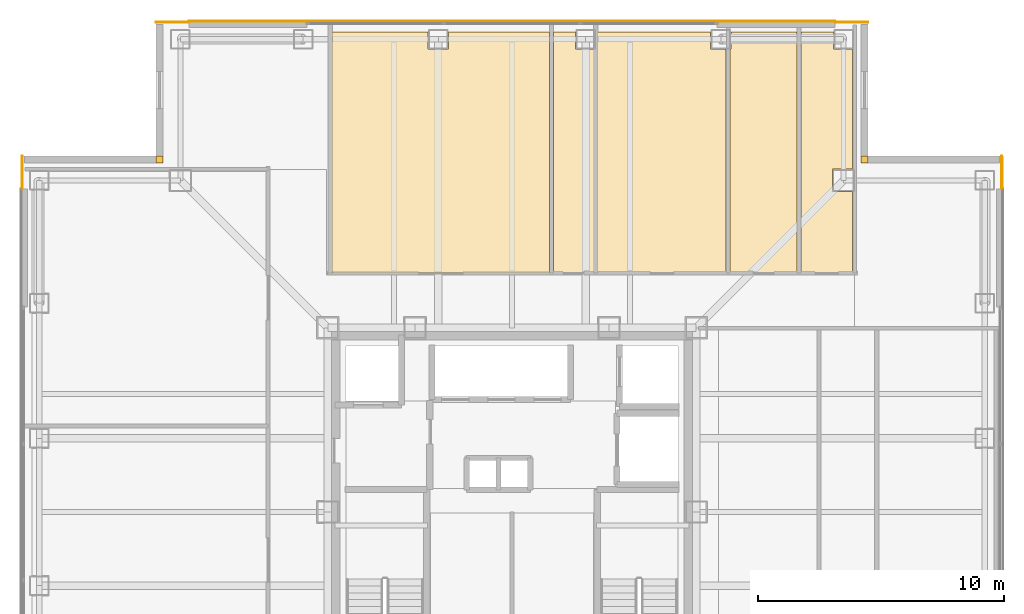
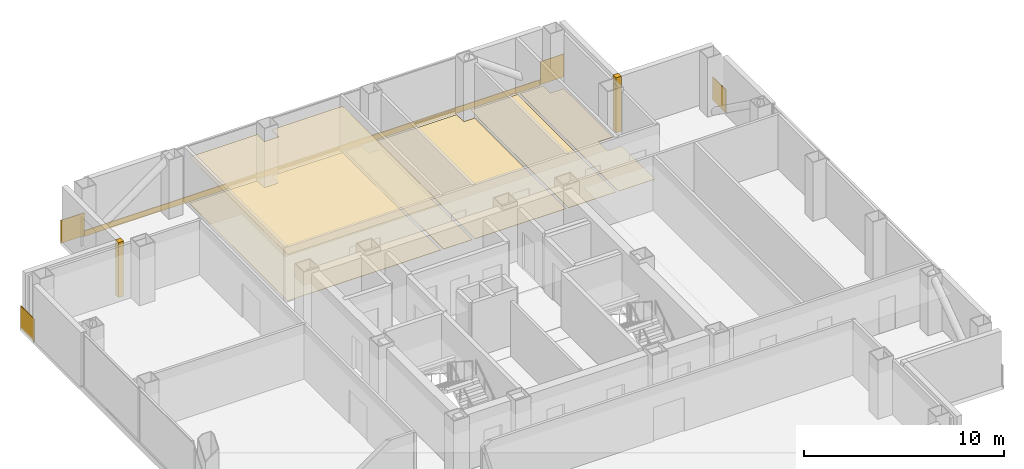
# One storey, part 16 of 16: 13 coverings.
"""IFC4 building model written with IfcOpenShell, lengths in metres."""

import ifcopenshell
import ifcopenshell.guid

model = None  # the IFC model being written
_history = None  # IfcOwnerHistory: only IFC2X3 demands one
_inside = {}  # id of a spatial element -> (the spatial element, [elements in it])
_under = {}  # id of a project, library or spatial element -> (it, [spatial elements below it])
_declared = {}  # id of a project -> (the project, [libraries it declares])
_typed = {}  # id of a type object -> (the type object, [elements of that type])
_made_of = {}  # id of a material, layer set ... -> (it, [elements and type objects made of it])


def new_model(schema):
    """Start an empty IFC model of exactly this schema.

    Asked for "IFC4X3", IfcOpenShell would pick the latest addendum, in which some entities
    have other attributes; the version numbers below select the first issue.
    IFC2X3 requires an IfcOwnerHistory on every rooted entity: one is made here for all.
    """
    global model, _history
    if schema == "IFC4X3":
        model = ifcopenshell.file(schema_version=(4, 3, 0, 0))
    else:
        model = ifcopenshell.file(schema=schema)
    _inside.clear()
    _under.clear()
    _declared.clear()
    _typed.clear()
    _made_of.clear()
    _history = None
    if model.schema == "IFC2X3":
        org = make("IfcOrganization", Name="unknown")
        user = make(
            "IfcPersonAndOrganization",
            ThePerson=make("IfcPerson", FamilyName="unknown"),
            TheOrganization=org,
        )
        app = make(
            "IfcApplication",
            ApplicationDeveloper=org,
            Version="unknown",
            ApplicationFullName="unknown",
            ApplicationIdentifier="unknown",
        )
        _history = make(
            "IfcOwnerHistory",
            OwningUser=user,
            OwningApplication=app,
            ChangeAction="ADDED",
            CreationDate=0,
        )
    return model


def make(cls, **values):
    """One entity of the class cls with the attributes given. An attribute that is None is left unset."""
    return model.create_entity(
        cls, **{name: value for name, value in values.items() if value is not None}
    )


def rooted(cls, **values):
    """An entity with a GlobalId (a new one), such as an element, a storey or a relation."""
    return make(cls, GlobalId=ifcopenshell.guid.new(), OwnerHistory=_history, **values)


def si_unit(unit_type, name, prefix=None):
    """IfcSIUnit, for example si_unit("LENGTHUNIT", "METRE", prefix="MILLI")."""
    return make("IfcSIUnit", UnitType=unit_type, Prefix=prefix, Name=name)


def assignment(units):
    """IfcUnitAssignment: the units of a project."""
    return None if units is None else make("IfcUnitAssignment", Units=units)


def point(xyz):
    """IfcCartesianPoint."""
    return None if xyz is None else make("IfcCartesianPoint", Coordinates=xyz)


def direction(xyz):
    """IfcDirection."""
    return None if xyz is None else make("IfcDirection", DirectionRatios=xyz)


def frame(location, z_axis=None, x_axis=None):
    """IfcAxis2Placement3D, a coordinate frame: its origin and axes. An axis left out is left unset."""
    return make(
        "IfcAxis2Placement3D",
        Location=point(location),
        Axis=direction(z_axis),
        RefDirection=direction(x_axis),
    )


def frame_2d(location, x_axis=None):
    """IfcAxis2Placement2D, a coordinate frame in the plane: its origin and x axis."""
    return make(
        "IfcAxis2Placement2D", Location=point(location), RefDirection=direction(x_axis)
    )


def origin():
    """The frame at (0, 0, 0) with its axes left unset."""
    return frame((0.0, 0.0, 0.0))


def place(relative_to, where):
    """IfcLocalPlacement: puts the frame where relative to a parent placement (None: the world)."""
    return make(
        "IfcLocalPlacement", PlacementRelTo=relative_to, RelativePlacement=where
    )


def context(
    kind, dimensions, precision=None, world=None, true_north=None, identifier=None
):
    """IfcGeometricRepresentationContext, for example the 3D "Model" context."""
    return make(
        "IfcGeometricRepresentationContext",
        ContextIdentifier=identifier,
        ContextType=kind,
        CoordinateSpaceDimension=dimensions,
        Precision=precision,
        WorldCoordinateSystem=world,
        TrueNorth=true_north,
    )


def subcontext(parent, identifier, kind, view, scale=None):
    """IfcGeometricRepresentationSubContext, for example "Body" below "Model"."""
    return make(
        "IfcGeometricRepresentationSubContext",
        ContextIdentifier=identifier,
        ContextType=kind,
        ParentContext=parent,
        TargetScale=scale,
        TargetView=view,
    )


def project(units=None, contexts=None):
    """IfcProject with its units and contexts."""
    return rooted(
        "IfcProject",
        Name="project",
        RepresentationContexts=contexts,
        UnitsInContext=assignment(units),
    )


def spatial(cls, under=None, at=None, **own):
    """A site, building, storey or space (cls), placed at a placement, below another one or the project."""
    s = rooted(cls, ObjectPlacement=at, **own)
    if under is not None:
        _under.setdefault(under.id(), (under, []))[1].append(s)
    return s


def polyline(points):
    """IfcPolyline through the points."""
    return make("IfcPolyline", Points=[point(p) for p in points])


def profile(cls, at=None, kind="AREA", **sizes):
    """A parametric profile (cls). Its sizes go by their IFC names, for example OverallWidth=200.0."""
    return make(cls, ProfileType=kind, Position=at, **sizes)


def rectangle(**sizes):
    """IfcRectangleProfileDef."""
    return profile("IfcRectangleProfileDef", **sizes)


def outline(outer, holes=None, kind="AREA"):
    """IfcArbitraryClosedProfileDef: a profile drawn as a closed curve; with holes, ...WithVoids."""
    if holes is None:
        return make("IfcArbitraryClosedProfileDef", ProfileType=kind, OuterCurve=outer)
    return make(
        "IfcArbitraryProfileDefWithVoids",
        ProfileType=kind,
        OuterCurve=outer,
        InnerCurves=holes,
    )


def extrude(swept, where, along, depth):
    """IfcExtrudedAreaSolid: the profile swept, set in the frame where, extruded along a direction by depth."""
    return make(
        "IfcExtrudedAreaSolid",
        SweptArea=swept,
        Position=where,
        ExtrudedDirection=direction(along),
        Depth=depth,
    )


def shape(context_of_items, identifier, shape_type, items):
    """IfcShapeRepresentation: the items that make up one representation, for example the "Body"."""
    return make(
        "IfcShapeRepresentation",
        ContextOfItems=context_of_items,
        RepresentationIdentifier=identifier,
        RepresentationType=shape_type,
        Items=items,
    )


def material(Name=None, Category=None):
    """IfcMaterial."""
    return make("IfcMaterial", Name=Name, Category=Category)


def layer(
    of_material, thickness, ventilated=None, Name=None, Category=None, Priority=None
):
    """IfcMaterialLayer: one layer of a wall or slab, of a material (None: an air gap)."""
    return make(
        "IfcMaterialLayer",
        Material=of_material,
        LayerThickness=thickness,
        IsVentilated=ventilated,
        Name=Name,
        Category=Category,
        Priority=Priority,
    )


def layer_set(layers, Name=None):
    """IfcMaterialLayerSet."""
    return make("IfcMaterialLayerSet", MaterialLayers=layers, LayerSetName=Name)


def made_of(thing, what):
    """Note that an element or type object is made of a material, layer set ...; save() writes the relation."""
    if what is not None:
        _made_of.setdefault(what.id(), (what, []))[1].append(thing)
    return thing


def type_object(cls, material=None, **own):
    """A type object (cls), such as IfcWallType, which elements share."""
    return made_of(rooted(cls, **own), material)


def element(
    cls,
    number,
    at=None,
    inside=None,
    cuts=None,
    type_object=None,
    material=None,
    context=None,
    identifier="Body",
    shape_type=None,
    held_by="IfcProductDefinitionShape",
    body=None,
    shapes=None,
    **own,
):
    """One element of the class cls, such as IfcWall. Its Tag is "e" and its number.

    at: its placement. inside: the storey or other place that contains it. cuts: it is an
    opening in that element (IfcRelVoidsElement). A single representation is given by context,
    identifier, shape_type and body (its items); several are given by shapes. held_by: the class
    of the entity that holds the representations. save() writes the other relations.
    """
    e = rooted(cls, Tag="e%d" % number, ObjectPlacement=at, **own)
    if body is not None:
        shapes = [shape(context, identifier, shape_type, body)]
    if shapes is not None:
        e.Representation = make(held_by, Representations=shapes)
    if inside is not None:
        _inside.setdefault(inside.id(), (inside, []))[1].append(e)
    if cuts is not None:
        rooted(
            "IfcRelVoidsElement", RelatingBuildingElement=cuts, RelatedOpeningElement=e
        )
    if type_object is not None:
        _typed.setdefault(type_object.id(), (type_object, []))[1].append(e)
    return made_of(e, material)


def aggregate(whole, parts):
    """IfcRelAggregates: a whole, such as a stair, and the parts it consists of."""
    return rooted("IfcRelAggregates", RelatingObject=whole, RelatedObjects=parts)


def save(model, path):
    """Write the relations noted so far, then the file.

    IfcRelAggregates (storeys below a building ...), IfcRelContainedInSpatialStructure (elements
    in a storey), IfcRelDefinesByType, IfcRelAssociatesMaterial and IfcRelDeclares: one each for
    every whole, place, type object, material and project.
    """
    for whole, parts in _under.values():
        aggregate(whole, parts)
    for where, things in _inside.values():
        rooted(
            "IfcRelContainedInSpatialStructure",
            RelatedElements=things,
            RelatingStructure=where,
        )
    for kind, things in _typed.values():
        rooted("IfcRelDefinesByType", RelatedObjects=things, RelatingType=kind)
    for what, things in _made_of.values():
        rooted("IfcRelAssociatesMaterial", RelatedObjects=things, RelatingMaterial=what)
    for by, libraries in _declared.values():
        rooted("IfcRelDeclares", RelatingContext=by, RelatedDefinitions=libraries)
    model.write(path)


model = new_model("IFC4")

# Units and contexts
model_context = context("Model", 3, precision=1e-05, world=origin(), true_north=direction((0.0, 1.0)))
body_context = subcontext(model_context, "Body", "Model", "MODEL_VIEW")
ifc_project = project(units=[si_unit("LENGTHUNIT", "METRE"), si_unit("AREAUNIT", "SQUARE_METRE"), si_unit("VOLUMEUNIT", "CUBIC_METRE"), si_unit("PLANEANGLEUNIT", "RADIAN"), si_unit("MASSUNIT", "GRAM", prefix="KILO")], contexts=[model_context])

# Site, building, storey
site_placement = place(None, origin())
site = spatial("IfcSite", under=ifc_project, at=site_placement, CompositionType="ELEMENT")
building_placement = place(site_placement, origin())
building = spatial("IfcBuilding", under=site, at=building_placement, Name="Trevonay Congress Spire", CompositionType="ELEMENT")
storey_placement = place(building_placement, frame((0.0, 0.0, 180.60009765625)))
storey = spatial("IfcBuildingStorey", under=building, at=storey_placement, Name="L46", CompositionType="ELEMENT", Elevation=180.60009765625)

# Coverings
ifc_material_1 = material(Name="Acoustic Mineral Fibre Board", Category="gypsum")
ifc_layer_1 = layer(ifc_material_1, 0.02490234375, Name="Acoustic Mineral Fibre Board")
ifc_layer_set_1 = layer_set([ifc_layer_1], Name="Acoustic Mineral Fibre Board")
covering_type_1 = type_object("IfcCoveringType", Name="COV-CEIL-ACOUSTIC", PredefinedType="CEILING", material=ifc_layer_set_1)
covering_1_placement = place(storey_placement, frame((0.0, 0.0, 2.809814453125)))
element("IfcCovering", 1, at=covering_1_placement, inside=storey, type_object=covering_type_1, Name="L46 Witness Waiting Lounge acoustic suspended ceiling", PredefinedType="CEILING", context=body_context, shape_type="SweptSolid", body=[
    extrude(outline(polyline([(1.52001953125, 19.550048828125), (1.52001953125, 9.72998046875), (-7.320068359375, 9.72998046875), (-7.320068359375, 19.550048828125), (-3.409912109375, 19.550048828125), (-3.409912109375, 18.840087890625), (-2.590087890625, 18.840087890625), (-2.590087890625, 19.550048828125), (1.52001953125, 19.550048828125)])), origin(), (0.0, 0.0, 1.0), 0.025146484375),
])
ifc_material_2 = material(Name="Polished Granite Floor Tile", Category="masonry")
ifc_layer_2 = layer(ifc_material_2, 0.02001953125, Name="Polished Granite Floor Tile")
ifc_layer_set_2 = layer_set([ifc_layer_2], Name="Polished Granite Floor Tile")
covering_type_2 = type_object("IfcCoveringType", Name="COV-FLOOR-STONE", PredefinedType="FLOORING", material=ifc_layer_set_2)
covering_2_placement = place(storey_placement, origin())
element("IfcCovering", 2, at=covering_2_placement, inside=storey, type_object=covering_type_2, Name="L46 Accessible WC floor finish", PredefinedType="FLOORING", context=body_context, shape_type="SweptSolid", body=[
    extrude(outline(polyline([(3.330078125, 9.72998046875), (1.679931640625, 9.72998046875), (1.679931640625, 19.550048828125), (2.590087890625, 19.550048828125), (2.590087890625, 18.840087890625), (3.330078125, 18.840087890625), (3.330078125, 9.72998046875)])), origin(), (0.0, 0.0, 1.0), 0.02001953125),
])
covering_3_placement = place(storey_placement, origin())
element("IfcCovering", 3, at=covering_3_placement, inside=storey, type_object=covering_type_2, Name="L46 Floor Supplies and Copy Room floor finish", PredefinedType="FLOORING", context=body_context, shape_type="SweptSolid", body=[
    extrude(outline(polyline([(8.719970703125, 9.72998046875), (3.489990234375, 9.72998046875), (3.489990234375, 19.550048828125), (8.090087890625, 19.550048828125), (8.090087890625, 18.840087890625), (8.719970703125, 18.840087890625), (8.719970703125, 9.72998046875)])), origin(), (0.0, 0.0, 1.0), 0.02001953125),
])
covering_4_placement = place(storey_placement, origin())
element("IfcCovering", 4, at=covering_4_placement, inside=storey, type_object=covering_type_2, Name="L46 Female Restroom WC floor finish", PredefinedType="FLOORING", context=body_context, shape_type="SweptSolid", body=[
    extrude(outline(polyline([(11.60009765625, 19.550048828125), (11.60009765625, 9.72998046875), (8.8798828125, 9.72998046875), (8.8798828125, 18.840087890625), (8.909912109375, 18.840087890625), (8.909912109375, 19.550048828125), (11.60009765625, 19.550048828125)])), origin(), (0.0, 0.0, 1.0), 0.02001953125),
])
covering_5_placement = place(storey_placement, origin())
element("IfcCovering", 5, at=covering_5_placement, inside=storey, type_object=covering_type_2, Name="L46 Floor Supplies and Copy Room floor finish", PredefinedType="FLOORING", context=body_context, shape_type="SweptSolid", body=[
    extrude(outline(polyline([(13.8701171875, 9.72998046875), (11.760009765625, 9.72998046875), (11.760009765625, 19.550048828125), (13.090087890625, 19.550048828125), (13.090087890625, 18.840087890625), (13.8701171875, 18.840087890625), (13.8701171875, 13.9599609375), (13.0400390625, 13.9599609375), (13.0400390625, 13.0400390625), (13.8701171875, 13.0400390625), (13.8701171875, 9.72998046875)])), origin(), (0.0, 0.0, 1.0), 0.02001953125),
])
ifc_material_3 = material(Name="Engineered Oak Flooring", Category="wood")
ifc_layer_3 = layer(ifc_material_3, 0.01806640625, Name="Engineered Oak Flooring")
ifc_layer_set_3 = layer_set([ifc_layer_3], Name="Engineered Oak Flooring")
covering_type_3 = type_object("IfcCoveringType", Name="COV-FLOOR-TIMBER", PredefinedType="FLOORING", material=ifc_layer_set_3)
covering_6_placement = place(storey_placement, origin())
element("IfcCovering", 6, at=covering_6_placement, inside=storey, type_object=covering_type_3, Name="L46 Witness Waiting Lounge floor finish", PredefinedType="FLOORING", context=body_context, shape_type="SweptSolid", body=[
    extrude(outline(polyline([(1.52001953125, 19.550048828125), (1.52001953125, 9.72998046875), (-7.320068359375, 9.72998046875), (-7.320068359375, 19.550048828125), (-3.409912109375, 19.550048828125), (-3.409912109375, 18.840087890625), (-2.590087890625, 18.840087890625), (-2.590087890625, 19.550048828125), (1.52001953125, 19.550048828125)])), origin(), (0.0, 0.0, 1.0), 0.017822265625),
])
ifc_material_4 = material(Name="Pale Anodised Aluminium EN AW-6063-T6", Category="aluminium")
ifc_layer_4 = layer(ifc_material_4, 0.0400390625, Name="Pale Anodised Aluminium EN AW-6063-T6")
ifc_layer_set_4 = layer_set([ifc_layer_4], Name="Pale Anodised Aluminium EN AW-6063-T6")
covering_type_4 = type_object("IfcCoveringType", Name="COV-SPANDREL-PALE-METAL", PredefinedType="CLADDING", material=ifc_layer_set_4)
covering_7_placement = place(storey_placement, frame((-13.14990234375, 19.97998046875, -0.239990234375), z_axis=(0.0, 0.0, 1.0), x_axis=(1.0, 0.0, 0.0)))
element("IfcCovering", 7, at=covering_7_placement, inside=storey, type_object=covering_type_4, Name="L46 N pale-metal slab-edge spandrel cladding", PredefinedType="CLADDING", context=body_context, shape_type="SweptSolid", body=[
    extrude(rectangle(XDim=26.2998046875, YDim=0.0400390625, at=frame_2d((13.14990234375, 0.0))), origin(), (0.0, 0.0, 1.0), 0.35986328125),
])
covering_8_placement = place(storey_placement, origin())
element("IfcCovering", 8, at=covering_8_placement, inside=storey, type_object=covering_type_4, Name="L46 NE re-entrant notch corner closure trim", PredefinedType="CLADDING", context=body_context, shape_type="SweptSolid", body=[
    extrude(outline(polyline([(14.199951171875, 14.199951171875), (14.5, 14.199951171875), (14.5, 14.5), (14.199951171875, 14.5), (14.199951171875, 14.199951171875)])), origin(), (0.0, 0.0, 1.0), 3.35986328125),
])
for number, where, z_axis, x_axis, name in (
    (9, (19.93994140625, 13.14990234375, -0.150146484375), (0.0, 0.0, 1.0), (0.0, 1.0, 0.0), "L46 NE corner pier spandrel cladding 1"),
    (10, (13.14990234375, 19.93994140625, -0.150146484375), (0.0, 0.0, 1.0), (1.0, 0.0, 0.0), "L46 NE corner pier spandrel cladding 2"),
):
    element("IfcCovering", number, at=place(storey_placement, frame(where, z_axis=z_axis, x_axis=x_axis)), inside=storey, type_object=covering_type_4, Name=name, PredefinedType="CLADDING", context=body_context, shape_type="SweptSolid", body=[
        extrude(rectangle(XDim=1.35009765625, YDim=0.0400390625, at=frame_2d((0.675048828125, 0.0))), origin(), (0.0, 0.0, 1.0), 1.400146484375),
    ])
covering_9_placement = place(storey_placement, origin())
element("IfcCovering", 11, at=covering_9_placement, inside=storey, type_object=covering_type_4, Name="L46 NW re-entrant notch corner closure trim", PredefinedType="CLADDING", context=body_context, shape_type="SweptSolid", body=[
    extrude(outline(polyline([(-14.5, 14.199951171875), (-14.199951171875, 14.199951171875), (-14.199951171875, 14.5), (-14.5, 14.5), (-14.5, 14.199951171875)])), origin(), (0.0, 0.0, 1.0), 3.35986328125),
])
for number, where, z_axis, x_axis, name in (
    (12, (-19.93994140625, 13.14990234375, -0.150146484375), (0.0, 0.0, 1.0), (0.0, 1.0, 0.0), "L46 NW corner pier spandrel cladding 1"),
    (13, (-13.14990234375, 19.93994140625, -0.150146484375), (0.0, 0.0, 1.0), (-1.0, 0.0, 0.0), "L46 NW corner pier spandrel cladding 2"),
):
    element("IfcCovering", number, at=place(storey_placement, frame(where, z_axis=z_axis, x_axis=x_axis)), inside=storey, type_object=covering_type_4, Name=name, PredefinedType="CLADDING", context=body_context, shape_type="SweptSolid", body=[
        extrude(rectangle(XDim=1.35009765625, YDim=0.0400390625, at=frame_2d((0.675048828125, 0.0))), origin(), (0.0, 0.0, 1.0), 1.400146484375),
    ])

save(model, "model.ifc")
